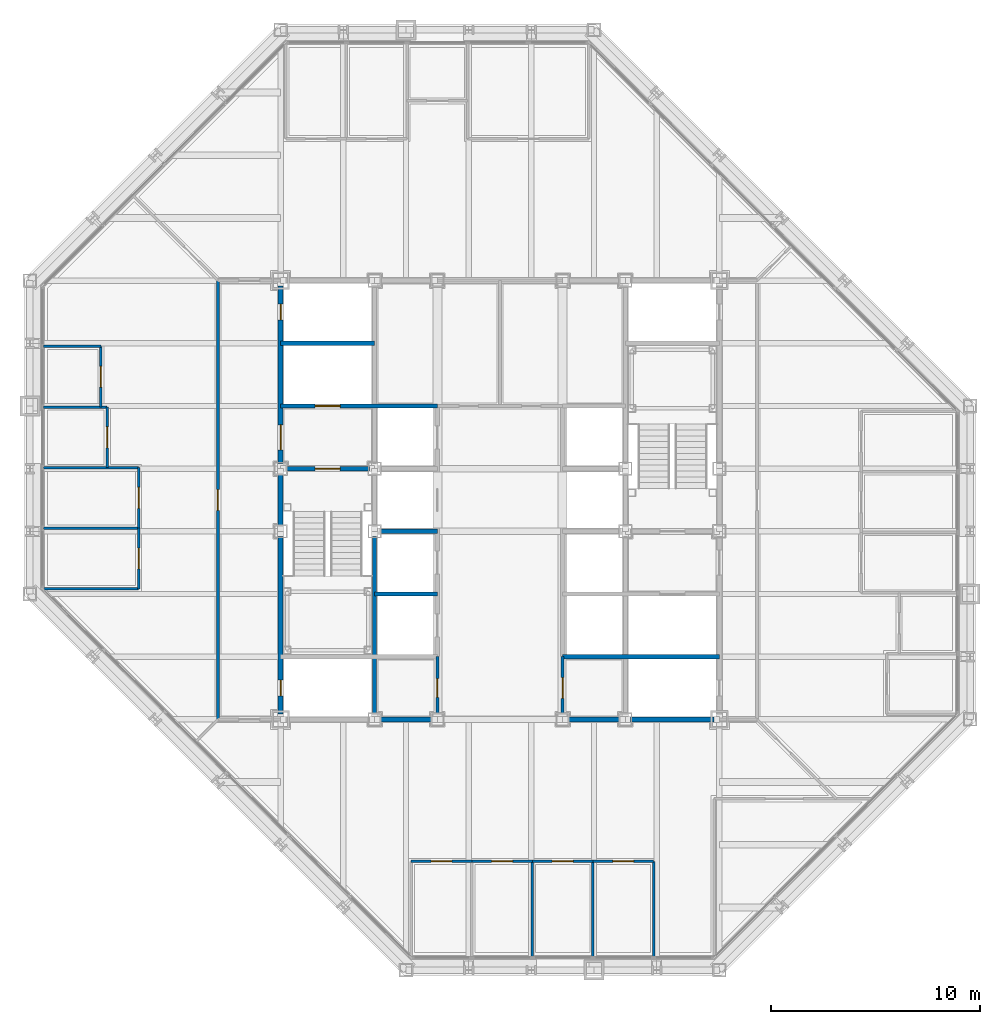
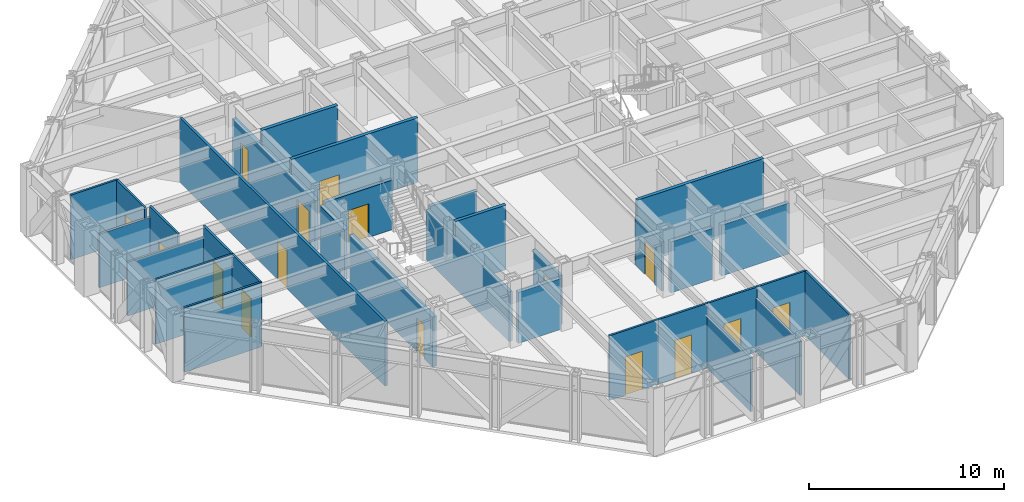
# One storey, part 10 of 15: 32 walls, 16 doors, 16 openings.
"""IFC4 building model written with IfcOpenShell, lengths in metres."""

from ifc_helpers import new_model, si_unit, direction, frame, frame_2d, origin, place, context, subcontext, project, spatial, rectangle, extrude, material, layer, layer_set, type_object, element, fill, save


model = new_model("IFC4")

# Units and contexts
model_context = context("Model", 3, precision=1e-05, world=origin(), true_north=direction((0.0, 1.0)))
body_context = subcontext(model_context, "Body", "Model", "MODEL_VIEW")
ifc_project = project(units=[si_unit("LENGTHUNIT", "METRE"), si_unit("AREAUNIT", "SQUARE_METRE"), si_unit("VOLUMEUNIT", "CUBIC_METRE"), si_unit("PLANEANGLEUNIT", "RADIAN"), si_unit("MASSUNIT", "GRAM", prefix="KILO")], contexts=[model_context])

# Site, building, storey
site_placement = place(None, origin())
site = spatial("IfcSite", under=ifc_project, at=site_placement, CompositionType="ELEMENT")
building_placement = place(site_placement, origin())
building = spatial("IfcBuilding", under=site, at=building_placement, Name="Chuquiago Exchange Tower", CompositionType="ELEMENT")
storey_placement = place(building_placement, frame((0.0, 0.0, 192.89990234375)))
storey = spatial("IfcBuildingStorey", under=building, at=storey_placement, Name="L42", CompositionType="ELEMENT", Elevation=192.89990234375)

# Wall, opening, door
ifc_material_1 = material(Name="Concrete masonry, fully grouted", Category="masonry")
ifc_layer_1 = layer(ifc_material_1, 0.25)
ifc_layer_set_1 = layer_set([ifc_layer_1], Name="W1 core wall 250")
wall_type_1 = type_object("IfcWallType", Name="W1 core wall 250", PredefinedType="SOLIDWALL", material=ifc_layer_set_1)
wall_1_placement = place(storey_placement, frame((12.0, 12.25, 0.0), z_axis=(0.0, 0.0, 1.0), x_axis=(0.0, 1.0, 0.0)))
wall_1 = element("IfcWall", 1, at=wall_1_placement, inside=storey, type_object=wall_type_1, Name="CW-L42-00-0", PredefinedType="SOLIDWALL", context=body_context, shape_type="SweptSolid", body=[
    extrude(rectangle(XDim=8.5, YDim=0.25, at=frame_2d((4.25, 0.0))), origin(), (0.0, 0.0, 1.0), 3.113037109375),
])
opening_1_placement = place(wall_1_placement, frame((0.875, 0.0, 0.0)))
opening_1 = element("IfcOpeningElement", 2, at=opening_1_placement, cuts=wall_1, Name="Opening L42-007", PredefinedType="OPENING", context=body_context, shape_type="SweptSolid", body=[
    extrude(rectangle(XDim=0.75, YDim=2.10009765625, at=frame_2d((0.375, 1.050048828125))), frame((0.0, 0.135009765625, 0.0), z_axis=(0.0, -1.0, 0.0), x_axis=(1.0, 0.0, 0.0)), (0.0, 0.0, 1.0), 0.27001953125),
])
ifc_material_2 = material(Name="Steel door, painted", Category="steel")
door_type_1 = type_object("IfcDoorType", Name="D6 riser access door 750x2100", OperationType="SINGLE_SWING_LEFT", PredefinedType="DOOR", material=ifc_material_2)
door_1_placement = place(opening_1_placement, origin())
door_1 = element("IfcDoor", 3, at=door_1_placement, inside=storey, type_object=door_type_1, Name="Riser RW1 door", OperationType="SINGLE_SWING_LEFT", OverallHeight=2.10009765625, OverallWidth=0.75, PredefinedType="DOOR", context=body_context, shape_type="SweptSolid", body=[
    extrude(rectangle(XDim=0.75, YDim=2.10009765625, at=frame_2d((0.375, 1.050048828125))), frame((0.0, 0.02490234375, 0.0), z_axis=(0.0, -1.0, 0.0), x_axis=(1.0, 0.0, 0.0)), (0.0, 0.0, 1.0), 0.050048828125),
])
fill(opening_1, door_1)

# Wall
wall_2_placement = place(storey_placement, frame((12.0, 21.25, 0.0), z_axis=(0.0, 0.0, 1.0), x_axis=(0.0, 1.0, 0.0)))
element("IfcWall", 4, at=wall_2_placement, inside=storey, type_object=wall_type_1, Name="CW-L42-00-1", PredefinedType="SOLIDWALL", context=body_context, shape_type="SweptSolid", body=[
    extrude(rectangle(XDim=2.5, YDim=0.25, at=frame_2d((1.25, 0.0))), origin(), (0.0, 0.0, 1.0), 3.113037109375),
])

# Wall, openings, doors
wall_3_placement = place(storey_placement, frame((12.0, 24.25, 0.0), z_axis=(0.0, 0.0, 1.0), x_axis=(0.0, 1.0, 0.0)))
wall_3 = element("IfcWall", 5, at=wall_3_placement, inside=storey, type_object=wall_type_1, Name="CW-L42-00-2", PredefinedType="SOLIDWALL", context=body_context, shape_type="SweptSolid", body=[
    extrude(rectangle(XDim=8.5, YDim=0.25, at=frame_2d((4.25, 0.0))), origin(), (0.0, 0.0, 1.0), 3.113037109375),
])
opening_2_placement = place(wall_3_placement, frame((0.64990234375, 0.0, 0.0)))
opening_2 = element("IfcOpeningElement", 6, at=opening_2_placement, cuts=wall_3, Name="Opening L42-002", PredefinedType="OPENING", context=body_context, shape_type="SweptSolid", body=[
    extrude(rectangle(XDim=1.199951171875, YDim=2.10009765625, at=frame_2d((0.60009765625, 1.050048828125))), frame((0.0, 0.135009765625, 0.0), z_axis=(0.0, -1.0, 0.0), x_axis=(1.0, 0.0, 0.0)), (0.0, 0.0, 1.0), 0.27001953125),
])
opening_3_placement = place(wall_3_placement, frame((6.875, 0.0, 0.0)))
opening_3 = element("IfcOpeningElement", 7, at=opening_3_placement, cuts=wall_3, Name="Opening L42-008", PredefinedType="OPENING", context=body_context, shape_type="SweptSolid", body=[
    extrude(rectangle(XDim=0.75, YDim=2.10009765625, at=frame_2d((0.375, 1.050048828125))), frame((0.0, 0.135009765625, 0.0), z_axis=(0.0, -1.0, 0.0), x_axis=(1.0, 0.0, 0.0)), (0.0, 0.0, 1.0), 0.27001953125),
])
ifc_material_3 = material(Name="Steel door, painted", Category="steel")
door_type_2 = type_object("IfcDoorType", Name="D5 firefighting lobby door 1200x2100", OperationType="SINGLE_SWING_LEFT", PredefinedType="DOOR", material=ifc_material_3)
door_2_placement = place(opening_2_placement, frame((1.199951171875, 0.0, 0.0), z_axis=(0.0, 0.0, 1.0), x_axis=(-1.0, 0.0, 0.0)))
door_2 = element("IfcDoor", 8, at=door_2_placement, inside=storey, type_object=door_type_2, Name="Firefighting lobby 1 door", OperationType="SINGLE_SWING_RIGHT", OverallHeight=2.10009765625, OverallWidth=1.199951171875, PredefinedType="DOOR", context=body_context, shape_type="SweptSolid", body=[
    extrude(rectangle(XDim=1.199951171875, YDim=2.10009765625, at=frame_2d((0.60009765625, 1.050048828125))), frame((0.0, 0.02490234375, 0.0), z_axis=(0.0, -1.0, 0.0), x_axis=(1.0, 0.0, 0.0)), (0.0, 0.0, 1.0), 0.050048828125),
])
fill(opening_2, door_2)
door_3_placement = place(opening_3_placement, origin())
door_3 = element("IfcDoor", 9, at=door_3_placement, inside=storey, type_object=door_type_1, Name="Riser RW2 door", OperationType="SINGLE_SWING_RIGHT", OverallHeight=2.10009765625, OverallWidth=0.75, PredefinedType="DOOR", context=body_context, shape_type="SweptSolid", body=[
    extrude(rectangle(XDim=0.75, YDim=2.10009765625, at=frame_2d((0.375, 1.050048828125))), frame((0.0, 0.02490234375, 0.0), z_axis=(0.0, -1.0, 0.0), x_axis=(1.0, 0.0, 0.0)), (0.0, 0.0, 1.0), 0.050048828125),
])
fill(opening_3, door_3)

# Walls
for number, where, z_axis, x_axis, name in (
    (10, (16.75, 12.0, 0.0), (0.0, 0.0, 1.0), (1.0, 0.0, 0.0), "CW-L42-01-1"),
    (11, (25.75, 12.0, 0.0), (0.0, 0.0, 1.0), (1.0, 0.0, 0.0), "CW-L42-02-0"),
):
    element("IfcWall", number, at=place(storey_placement, frame(where, z_axis=z_axis, x_axis=x_axis)), inside=storey, type_object=wall_type_1, Name=name, PredefinedType="SOLIDWALL", context=body_context, shape_type="SweptSolid", body=[
        extrude(rectangle(XDim=2.5, YDim=0.25, at=frame_2d((1.25, 0.0))), origin(), (0.0, 0.0, 1.0), 3.181640625),
    ])
wall_4_placement = place(storey_placement, frame((28.75, 12.0, 0.0), z_axis=(0.0, 0.0, 1.0), x_axis=(1.0, 0.0, 0.0)))
element("IfcWall", 12, at=wall_4_placement, inside=storey, type_object=wall_type_1, Name="CW-L42-02-1", PredefinedType="SOLIDWALL", context=body_context, shape_type="SweptSolid", body=[
    extrude(rectangle(XDim=4.0, YDim=0.25, at=frame_2d((2.0, 0.0))), origin(), (0.0, 0.0, 1.0), 3.181640625),
])

# Wall, opening, door
ifc_material_4 = material(Name="Gypsum board on steel studs, acoustic insulation", Category="steel")
ifc_layer_2 = layer(ifc_material_4, 0.14990234375)
ifc_layer_set_2 = layer_set([ifc_layer_2], Name="W11 corridor wall 150")
wall_type_2 = type_object("IfcWallType", Name="W11 corridor wall 150", PredefinedType="PARTITIONING", material=ifc_layer_set_2)
wall_5_placement = place(storey_placement, frame((9.0, 12.0, 0.0), z_axis=(0.0, 0.0, 1.0), x_axis=(0.0, 1.0, 0.0)))
wall_5 = element("IfcWall", 13, at=wall_5_placement, inside=storey, type_object=wall_type_2, Name="PW-L42-GW0", PredefinedType="PARTITIONING", context=body_context, shape_type="SweptSolid", body=[
    extrude(rectangle(XDim=21.0, YDim=0.14990234375, at=frame_2d((10.5, 0.0))), origin(), (0.0, 0.0, 1.0), 4.0400390625),
])
opening_4_placement = place(wall_5_placement, frame((10.0, 0.0, 0.0)))
opening_4 = element("IfcOpeningElement", 14, at=opening_4_placement, cuts=wall_5, Name="Opening L42-037", PredefinedType="OPENING", context=body_context, shape_type="SweptSolid", body=[
    extrude(rectangle(XDim=1.0, YDim=2.39990234375, at=frame_2d((0.5, 1.199951171875))), frame((0.0, 0.0849609375, 0.0), z_axis=(0.0, -1.0, 0.0), x_axis=(1.0, 0.0, 0.0)), (0.0, 0.0, 1.0), 0.169921875),
])
ifc_material_5 = material(Name="Timber door, laminate faced", Category="wood")
door_type_3 = type_object("IfcDoorType", Name="D9 room door 1000x2400", OperationType="SINGLE_SWING_LEFT", PredefinedType="DOOR", material=ifc_material_5)
door_4_placement = place(opening_4_placement, origin())
door_4 = element("IfcDoor", 15, at=door_4_placement, inside=storey, type_object=door_type_3, Name="Team area door", OperationType="SINGLE_SWING_LEFT", OverallHeight=2.39990234375, OverallWidth=1.0, PredefinedType="DOOR", context=body_context, shape_type="SweptSolid", body=[
    extrude(rectangle(XDim=1.0, YDim=2.39990234375, at=frame_2d((0.5, 1.199951171875))), frame((0.0, 0.02490234375, 0.0), z_axis=(0.0, -1.0, 0.0), x_axis=(1.0, 0.0, 0.0)), (0.0, 0.0, 1.0), 0.050048828125),
])
fill(opening_4, door_4)

# Wall
ifc_material_6 = material(Name="Concrete masonry, fully grouted", Category="masonry")
ifc_layer_3 = layer(ifc_material_6, 0.199951171875)
ifc_layer_set_3 = layer_set([ifc_layer_3], Name="W2 shaft wall 200")
wall_type_3 = type_object("IfcWallType", Name="W2 shaft wall 200", PredefinedType="SOLIDWALL", material=ifc_layer_set_3)
wall_6_placement = place(storey_placement, frame((25.5, 15.0, 0.0), z_axis=(0.0, 0.0, 1.0), x_axis=(1.0, 0.0, 0.0)))
element("IfcWall", 16, at=wall_6_placement, inside=storey, type_object=wall_type_3, Name="CW-L42-04-0", PredefinedType="SOLIDWALL", context=body_context, shape_type="SweptSolid", body=[
    extrude(rectangle(XDim=7.5, YDim=0.199951171875, at=frame_2d((3.75, 0.0))), origin(), (0.0, 0.0, 1.0), 4.0400390625),
])

# Wall, opening, door
wall_7_placement = place(storey_placement, frame((12.25, 24.0, 0.0), z_axis=(0.0, 0.0, 1.0), x_axis=(1.0, 0.0, 0.0)))
wall_7 = element("IfcWall", 17, at=wall_7_placement, inside=storey, type_object=wall_type_3, Name="CW-L42-05-0", PredefinedType="SOLIDWALL", context=body_context, shape_type="SweptSolid", body=[
    extrude(rectangle(XDim=4.0, YDim=0.199951171875, at=frame_2d((2.0, 0.0))), origin(), (0.0, 0.0, 1.0), 3.090087890625),
])
opening_5_placement = place(wall_7_placement, frame((1.39990234375, 0.0, 0.0)))
opening_5 = element("IfcOpeningElement", 18, at=opening_5_placement, cuts=wall_7, Name="Opening L42-001", PredefinedType="OPENING", context=body_context, shape_type="SweptSolid", body=[
    extrude(rectangle(XDim=1.199951171875, YDim=2.10009765625, at=frame_2d((0.60009765625, 1.050048828125))), frame((0.0, 0.10986328125, 0.0), z_axis=(0.0, -1.0, 0.0), x_axis=(1.0, 0.0, 0.0)), (0.0, 0.0, 1.0), 0.219970703125),
])
ifc_material_7 = material(Name="Steel door, painted", Category="steel")
door_type_4 = type_object("IfcDoorType", Name="D4 stair door 1200x2100", OperationType="SINGLE_SWING_LEFT", PredefinedType="DOOR", material=ifc_material_7)
door_5_placement = place(opening_5_placement, frame((1.199951171875, 0.0, 0.0), z_axis=(0.0, 0.0, 1.0), x_axis=(-1.0, 0.0, 0.0)))
door_5 = element("IfcDoor", 19, at=door_5_placement, inside=storey, type_object=door_type_4, Name="Stair ST1 door", OperationType="SINGLE_SWING_RIGHT", OverallHeight=2.10009765625, OverallWidth=1.199951171875, PredefinedType="DOOR", context=body_context, shape_type="SweptSolid", body=[
    extrude(rectangle(XDim=1.199951171875, YDim=2.10009765625, at=frame_2d((0.60009765625, 1.050048828125))), frame((0.0, 0.02490234375, 0.0), z_axis=(0.0, -1.0, 0.0), x_axis=(1.0, 0.0, 0.0)), (0.0, 0.0, 1.0), 0.050048828125),
])
fill(opening_5, door_5)

wall_8_placement = place(storey_placement, frame((12.0, 27.0, 0.0), z_axis=(0.0, 0.0, 1.0), x_axis=(1.0, 0.0, 0.0)))
wall_8 = element("IfcWall", 20, at=wall_8_placement, inside=storey, type_object=wall_type_3, Name="CW-L42-07-0", PredefinedType="SOLIDWALL", context=body_context, shape_type="SweptSolid", body=[
    extrude(rectangle(XDim=7.5, YDim=0.199951171875, at=frame_2d((3.75, 0.0))), origin(), (0.0, 0.0, 1.0), 4.0400390625),
])
opening_6_placement = place(wall_8_placement, frame((1.64990234375, 0.0, 0.0)))
opening_6 = element("IfcOpeningElement", 21, at=opening_6_placement, cuts=wall_8, Name="Opening L42-005", PredefinedType="OPENING", context=body_context, shape_type="SweptSolid", body=[
    extrude(rectangle(XDim=1.199951171875, YDim=2.10009765625, at=frame_2d((0.60009765625, 1.050048828125))), frame((0.0, 0.10986328125, 0.0), z_axis=(0.0, -1.0, 0.0), x_axis=(1.0, 0.0, 0.0)), (0.0, 0.0, 1.0), 0.219970703125),
])
ifc_material_8 = material(Name="Stainless steel lift landing door", Category="steel")
door_type_5 = type_object("IfcDoorType", Name="LD2 firefighting lift landing door 1200x2100", OperationType="DOUBLE_DOOR_SLIDING", PredefinedType="DOOR", material=ifc_material_8)
door_6_placement = place(opening_6_placement, origin())
door_6 = element("IfcDoor", 22, at=door_6_placement, inside=storey, type_object=door_type_5, Name="Firefighting lift FL1 landing door", OperationType="DOUBLE_DOOR_SLIDING", OverallHeight=2.10009765625, OverallWidth=1.199951171875, PredefinedType="DOOR", context=body_context, shape_type="SweptSolid", body=[
    extrude(rectangle(XDim=1.199951171875, YDim=2.10009765625, at=frame_2d((0.60009765625, 1.050048828125))), frame((0.0, 0.02490234375, 0.0), z_axis=(0.0, -1.0, 0.0), x_axis=(1.0, 0.0, 0.0)), (0.0, 0.0, 1.0), 0.050048828125),
])
fill(opening_6, door_6)

# Walls
wall_9_placement = place(storey_placement, frame((12.0, 30.0, 0.0), z_axis=(0.0, 0.0, 1.0), x_axis=(1.0, 0.0, 0.0)))
element("IfcWall", 23, at=wall_9_placement, inside=storey, type_object=wall_type_3, Name="CW-L42-09-0", PredefinedType="SOLIDWALL", context=body_context, shape_type="SweptSolid", body=[
    extrude(rectangle(XDim=4.5, YDim=0.199951171875, at=frame_2d((2.25, 0.0))), origin(), (0.0, 0.0, 1.0), 4.0400390625),
])
wall_10_placement = place(storey_placement, frame((16.5, 12.25, 0.0), z_axis=(0.0, 0.0, 1.0), x_axis=(0.0, 1.0, 0.0)))
element("IfcWall", 24, at=wall_10_placement, inside=storey, type_object=wall_type_3, Name="CW-L42-13-0", PredefinedType="SOLIDWALL", context=body_context, shape_type="SweptSolid", body=[
    extrude(rectangle(XDim=8.5, YDim=0.199951171875, at=frame_2d((4.25, 0.0))), origin(), (0.0, 0.0, 1.0), 3.113037109375),
])
wall_11_placement = place(storey_placement, frame((16.5, 18.0, 0.0), z_axis=(0.0, 0.0, 1.0), x_axis=(1.0, 0.0, 0.0)))
element("IfcWall", 25, at=wall_11_placement, inside=storey, type_object=wall_type_3, Name="CW-L42-14-0", PredefinedType="SOLIDWALL", context=body_context, shape_type="SweptSolid", body=[
    extrude(rectangle(XDim=3.0, YDim=0.199951171875, at=frame_2d((1.5, 0.0))), origin(), (0.0, 0.0, 1.0), 4.0400390625),
])
wall_12_placement = place(storey_placement, frame((16.75, 21.0, 0.0), z_axis=(0.0, 0.0, 1.0), x_axis=(1.0, 0.0, 0.0)))
element("IfcWall", 26, at=wall_12_placement, inside=storey, type_object=wall_type_3, Name="CW-L42-16-0", PredefinedType="SOLIDWALL", context=body_context, shape_type="SweptSolid", body=[
    extrude(rectangle(XDim=2.75, YDim=0.199951171875, at=frame_2d((1.375, 0.0))), origin(), (0.0, 0.0, 1.0), 3.090087890625),
])

# Wall, opening, door
ifc_material_9 = material(Name="Gypsum board on steel studs", Category="steel")
ifc_layer_4 = layer(ifc_material_9, 0.14990234375)
ifc_layer_set_4 = layer_set([ifc_layer_4], Name="W3 core partition 150")
wall_type_4 = type_object("IfcWallType", Name="W3 core partition 150", PredefinedType="PARTITIONING", material=ifc_layer_set_4)
wall_13_placement = place(storey_placement, frame((19.5, 12.25, 0.0), z_axis=(0.0, 0.0, 1.0), x_axis=(0.0, 1.0, 0.0)))
wall_13 = element("IfcWall", 27, at=wall_13_placement, inside=storey, type_object=wall_type_4, Name="CW-L42-18-0", PredefinedType="PARTITIONING", context=body_context, shape_type="SweptSolid", body=[
    extrude(rectangle(XDim=2.75, YDim=0.14990234375, at=frame_2d((1.375, 0.0))), origin(), (0.0, 0.0, 1.0), 3.064697265625),
])
opening_7_placement = place(wall_13_placement, frame((0.800048828125, 0.0, 0.0)))
opening_7 = element("IfcOpeningElement", 28, at=opening_7_placement, cuts=wall_13, Name="Opening L42-014", PredefinedType="OPENING", context=body_context, shape_type="SweptSolid", body=[
    extrude(rectangle(XDim=0.89990234375, YDim=2.10009765625, at=frame_2d((0.449951171875, 1.050048828125))), frame((0.0, 0.0849609375, 0.0), z_axis=(0.0, -1.0, 0.0), x_axis=(1.0, 0.0, 0.0)), (0.0, 0.0, 1.0), 0.169921875),
])
ifc_material_10 = material(Name="Timber door, laminate faced", Category="wood")
door_type_6 = type_object("IfcDoorType", Name="D7 toilet door 900x2100", OperationType="SINGLE_SWING_LEFT", PredefinedType="DOOR", material=ifc_material_10)
door_7_placement = place(opening_7_placement, frame((0.89990234375, 0.0, 0.0), z_axis=(0.0, 0.0, 1.0), x_axis=(-1.0, 0.0, 0.0)))
door_7 = element("IfcDoor", 29, at=door_7_placement, inside=storey, type_object=door_type_6, Name="Cleaner door", OperationType="SINGLE_SWING_RIGHT", OverallHeight=2.10009765625, OverallWidth=0.89990234375, PredefinedType="DOOR", context=body_context, shape_type="SweptSolid", body=[
    extrude(rectangle(XDim=0.89990234375, YDim=2.10009765625, at=frame_2d((0.449951171875, 1.050048828125))), frame((0.0, 0.02490234375, 0.0), z_axis=(0.0, -1.0, 0.0), x_axis=(1.0, 0.0, 0.0)), (0.0, 0.0, 1.0), 0.050048828125),
])
fill(opening_7, door_7)

wall_14_placement = place(storey_placement, frame((25.5, 12.25, 0.0), z_axis=(0.0, 0.0, 1.0), x_axis=(0.0, 1.0, 0.0)))
wall_14 = element("IfcWall", 30, at=wall_14_placement, inside=storey, type_object=wall_type_4, Name="CW-L42-21-0", PredefinedType="PARTITIONING", context=body_context, shape_type="SweptSolid", body=[
    extrude(rectangle(XDim=2.75, YDim=0.14990234375, at=frame_2d((1.375, 0.0))), origin(), (0.0, 0.0, 1.0), 3.064697265625),
])
opening_8_placement = place(wall_14_placement, frame((0.75, 0.0, 0.0)))
opening_8 = element("IfcOpeningElement", 31, at=opening_8_placement, cuts=wall_14, Name="Opening L42-013", PredefinedType="OPENING", context=body_context, shape_type="SweptSolid", body=[
    extrude(rectangle(XDim=1.0, YDim=2.10009765625, at=frame_2d((0.5, 1.050048828125))), frame((0.0, 0.0849609375, 0.0), z_axis=(0.0, -1.0, 0.0), x_axis=(1.0, 0.0, 0.0)), (0.0, 0.0, 1.0), 0.169921875),
])
ifc_material_11 = material(Name="Timber door, laminate faced", Category="wood")
door_type_7 = type_object("IfcDoorType", Name="D8 accessible toilet door 1000x2100", OperationType="SLIDING_TO_LEFT", PredefinedType="DOOR", material=ifc_material_11)
door_8_placement = place(opening_8_placement, origin())
door_8 = element("IfcDoor", 32, at=door_8_placement, inside=storey, type_object=door_type_7, Name="Accessible WC door", OperationType="SLIDING_TO_LEFT", OverallHeight=2.10009765625, OverallWidth=1.0, PredefinedType="DOOR", context=body_context, shape_type="SweptSolid", body=[
    extrude(rectangle(XDim=1.0, YDim=2.10009765625, at=frame_2d((0.5, 1.050048828125))), frame((0.0, 0.02490234375, 0.0), z_axis=(0.0, -1.0, 0.0), x_axis=(1.0, 0.0, 0.0)), (0.0, 0.0, 1.0), 0.050048828125),
])
fill(opening_8, door_8)

# Walls
ifc_material_12 = material(Name="Gypsum board on steel studs", Category="steel")
ifc_layer_5 = layer(ifc_material_12, 0.1201171875)
ifc_layer_set_5 = layer_set([ifc_layer_5], Name="W4 partition 120")
wall_type_5 = type_object("IfcWallType", Name="W4 partition 120", PredefinedType="PARTITIONING", material=ifc_layer_set_5)
for number, where, z_axis, x_axis, name in (
    (33, (24.0498046875, 0.652587890625, 0.0), (0.0, 0.0, 1.0), (0.0, 1.0, 0.0), "PW-L42-S02405"),
    (34, (26.9501953125, 0.652587890625, 0.0), (0.0, 0.0, 1.0), (0.0, 1.0, 0.0), "PW-L42-S02695"),
):
    element("IfcWall", number, at=place(storey_placement, frame(where, z_axis=z_axis, x_axis=x_axis)), inside=storey, type_object=wall_type_5, Name=name, PredefinedType="PARTITIONING", context=body_context, shape_type="SweptSolid", body=[
        extrude(rectangle(XDim=4.54736328125, YDim=0.1201171875, at=frame_2d((2.273681640625, 0.0))), origin(), (0.0, 0.0, 1.0), 3.35693359375),
    ])
wall_15_placement = place(storey_placement, frame((29.850830078125, 0.652587890625, 0.0), z_axis=(0.0, 0.0, 1.0), x_axis=(0.0, 1.0, 0.0)))
element("IfcWall", 35, at=wall_15_placement, inside=storey, type_object=wall_type_5, Name="PW-L42-S02985", PredefinedType="PARTITIONING", context=body_context, shape_type="SweptSolid", body=[
    extrude(rectangle(XDim=4.54736328125, YDim=0.1201171875, at=frame_2d((2.273681640625, 0.0))), origin(), (0.0, 0.0, 1.0), 4.0400390625),
])

# Wall, opening, door
wall_16_placement = place(storey_placement, frame((18.24853515625, 5.199951171875, 0.0), z_axis=(0.0, 0.0, 1.0), x_axis=(1.0, 0.0, 0.0)))
wall_16 = element("IfcWall", 36, at=wall_16_placement, inside=storey, type_object=wall_type_5, Name="PW-L42-SF01825", PredefinedType="PARTITIONING", context=body_context, shape_type="SweptSolid", body=[
    extrude(rectangle(XDim=2.900634765625, YDim=0.1201171875, at=frame_2d((1.4501953125, 0.0))), origin(), (0.0, 0.0, 1.0), 4.0400390625),
])
opening_9_placement = place(wall_16_placement, frame((0.9501953125, 0.0, 0.0)))
opening_9 = element("IfcOpeningElement", 37, at=opening_9_placement, cuts=wall_16, Name="Opening L42-019", PredefinedType="OPENING", context=body_context, shape_type="SweptSolid", body=[
    extrude(rectangle(XDim=1.0, YDim=2.39990234375, at=frame_2d((0.5, 1.199951171875))), frame((0.0, 0.070068359375, 0.0), z_axis=(0.0, -1.0, 0.0), x_axis=(1.0, 0.0, 0.0)), (0.0, 0.0, 1.0), 0.14013671875),
])
door_9_placement = place(opening_9_placement, frame((1.0, 0.0, 0.0), z_axis=(0.0, 0.0, 1.0), x_axis=(-1.0, 0.0, 0.0)))
door_9 = element("IfcDoor", 38, at=door_9_placement, inside=storey, type_object=door_type_3, Name="Office door", OperationType="SINGLE_SWING_RIGHT", OverallHeight=2.39990234375, OverallWidth=1.0, PredefinedType="DOOR", context=body_context, shape_type="SweptSolid", body=[
    extrude(rectangle(XDim=1.0, YDim=2.39990234375, at=frame_2d((0.5, 1.199951171875))), frame((0.0, 0.02490234375, 0.0), z_axis=(0.0, -1.0, 0.0), x_axis=(1.0, 0.0, 0.0)), (0.0, 0.0, 1.0), 0.050048828125),
])
fill(opening_9, door_9)

wall_17_placement = place(storey_placement, frame((21.149169921875, 5.199951171875, 0.0), z_axis=(0.0, 0.0, 1.0), x_axis=(1.0, 0.0, 0.0)))
wall_17 = element("IfcWall", 39, at=wall_17_placement, inside=storey, type_object=wall_type_5, Name="PW-L42-SF02115", PredefinedType="PARTITIONING", context=body_context, shape_type="SweptSolid", body=[
    extrude(rectangle(XDim=2.900634765625, YDim=0.1201171875, at=frame_2d((1.4501953125, 0.0))), origin(), (0.0, 0.0, 1.0), 4.0400390625),
])
opening_10_placement = place(wall_17_placement, frame((0.9501953125, 0.0, 0.0)))
opening_10 = element("IfcOpeningElement", 40, at=opening_10_placement, cuts=wall_17, Name="Opening L42-020", PredefinedType="OPENING", context=body_context, shape_type="SweptSolid", body=[
    extrude(rectangle(XDim=1.0, YDim=2.39990234375, at=frame_2d((0.5, 1.199951171875))), frame((0.0, 0.070068359375, 0.0), z_axis=(0.0, -1.0, 0.0), x_axis=(1.0, 0.0, 0.0)), (0.0, 0.0, 1.0), 0.14013671875),
])
door_10_placement = place(opening_10_placement, frame((1.0, 0.0, 0.0), z_axis=(0.0, 0.0, 1.0), x_axis=(-1.0, 0.0, 0.0)))
door_10 = element("IfcDoor", 41, at=door_10_placement, inside=storey, type_object=door_type_3, Name="Office door", OperationType="SINGLE_SWING_RIGHT", OverallHeight=2.39990234375, OverallWidth=1.0, PredefinedType="DOOR", context=body_context, shape_type="SweptSolid", body=[
    extrude(rectangle(XDim=1.0, YDim=2.39990234375, at=frame_2d((0.5, 1.199951171875))), frame((0.0, 0.02490234375, 0.0), z_axis=(0.0, -1.0, 0.0), x_axis=(1.0, 0.0, 0.0)), (0.0, 0.0, 1.0), 0.050048828125),
])
fill(opening_10, door_10)

wall_18_placement = place(storey_placement, frame((24.0498046875, 5.199951171875, 0.0), z_axis=(0.0, 0.0, 1.0), x_axis=(1.0, 0.0, 0.0)))
wall_18 = element("IfcWall", 42, at=wall_18_placement, inside=storey, type_object=wall_type_5, Name="PW-L42-SF02405", PredefinedType="PARTITIONING", context=body_context, shape_type="SweptSolid", body=[
    extrude(rectangle(XDim=2.900390625, YDim=0.1201171875, at=frame_2d((1.4501953125, 0.0))), origin(), (0.0, 0.0, 1.0), 4.0400390625),
])
opening_11_placement = place(wall_18_placement, frame((0.9501953125, 0.0, 0.0)))
opening_11 = element("IfcOpeningElement", 43, at=opening_11_placement, cuts=wall_18, Name="Opening L42-021", PredefinedType="OPENING", context=body_context, shape_type="SweptSolid", body=[
    extrude(rectangle(XDim=1.0, YDim=2.39990234375, at=frame_2d((0.5, 1.199951171875))), frame((0.0, 0.070068359375, 0.0), z_axis=(0.0, -1.0, 0.0), x_axis=(1.0, 0.0, 0.0)), (0.0, 0.0, 1.0), 0.14013671875),
])
door_11_placement = place(opening_11_placement, frame((1.0, 0.0, 0.0), z_axis=(0.0, 0.0, 1.0), x_axis=(-1.0, 0.0, 0.0)))
door_11 = element("IfcDoor", 44, at=door_11_placement, inside=storey, type_object=door_type_3, Name="Office door", OperationType="SINGLE_SWING_LEFT", OverallHeight=2.39990234375, OverallWidth=1.0, PredefinedType="DOOR", context=body_context, shape_type="SweptSolid", body=[
    extrude(rectangle(XDim=1.0, YDim=2.39990234375, at=frame_2d((0.5, 1.199951171875))), frame((0.0, 0.02490234375, 0.0), z_axis=(0.0, -1.0, 0.0), x_axis=(1.0, 0.0, 0.0)), (0.0, 0.0, 1.0), 0.050048828125),
])
fill(opening_11, door_11)

wall_19_placement = place(storey_placement, frame((26.9501953125, 5.199951171875, 0.0), z_axis=(0.0, 0.0, 1.0), x_axis=(1.0, 0.0, 0.0)))
wall_19 = element("IfcWall", 45, at=wall_19_placement, inside=storey, type_object=wall_type_5, Name="PW-L42-SF02695", PredefinedType="PARTITIONING", context=body_context, shape_type="SweptSolid", body=[
    extrude(rectangle(XDim=2.900634765625, YDim=0.1201171875, at=frame_2d((1.4501953125, 0.0))), origin(), (0.0, 0.0, 1.0), 4.0400390625),
])
opening_12_placement = place(wall_19_placement, frame((0.9501953125, 0.0, 0.0)))
opening_12 = element("IfcOpeningElement", 46, at=opening_12_placement, cuts=wall_19, Name="Opening L42-022", PredefinedType="OPENING", context=body_context, shape_type="SweptSolid", body=[
    extrude(rectangle(XDim=1.0, YDim=2.39990234375, at=frame_2d((0.5, 1.199951171875))), frame((0.0, 0.070068359375, 0.0), z_axis=(0.0, -1.0, 0.0), x_axis=(1.0, 0.0, 0.0)), (0.0, 0.0, 1.0), 0.14013671875),
])
door_12_placement = place(opening_12_placement, frame((1.0, 0.0, 0.0), z_axis=(0.0, 0.0, 1.0), x_axis=(-1.0, 0.0, 0.0)))
door_12 = element("IfcDoor", 47, at=door_12_placement, inside=storey, type_object=door_type_3, Name="Office door", OperationType="SINGLE_SWING_RIGHT", OverallHeight=2.39990234375, OverallWidth=1.0, PredefinedType="DOOR", context=body_context, shape_type="SweptSolid", body=[
    extrude(rectangle(XDim=1.0, YDim=2.39990234375, at=frame_2d((0.5, 1.199951171875))), frame((0.0, 0.02490234375, 0.0), z_axis=(0.0, -1.0, 0.0), x_axis=(1.0, 0.0, 0.0)), (0.0, 0.0, 1.0), 0.050048828125),
])
fill(opening_12, door_12)

# Walls
wall_20_placement = place(storey_placement, frame((0.666015625, 18.24853515625, 0.0), z_axis=(0.0, 0.0, 1.0), x_axis=(1.0, 0.0, 0.0)))
element("IfcWall", 48, at=wall_20_placement, inside=storey, type_object=wall_type_5, Name="PW-L42-W01825", PredefinedType="PARTITIONING", context=body_context, shape_type="SweptSolid", body=[
    extrude(rectangle(XDim=4.533935546875, YDim=0.1201171875, at=frame_2d((2.26708984375, 0.0))), origin(), (0.0, 0.0, 1.0), 4.0400390625),
])
wall_21_placement = place(storey_placement, frame((0.652587890625, 21.149169921875, 0.0), z_axis=(0.0, 0.0, 1.0), x_axis=(1.0, 0.0, 0.0)))
element("IfcWall", 49, at=wall_21_placement, inside=storey, type_object=wall_type_5, Name="PW-L42-W02115", PredefinedType="PARTITIONING", context=body_context, shape_type="SweptSolid", body=[
    extrude(rectangle(XDim=4.54736328125, YDim=0.1201171875, at=frame_2d((2.273681640625, 0.0))), origin(), (0.0, 0.0, 1.0), 4.0400390625),
])
wall_22_placement = place(storey_placement, frame((0.652587890625, 24.0498046875, 0.0), z_axis=(0.0, 0.0, 1.0), x_axis=(1.0, 0.0, 0.0)))
element("IfcWall", 50, at=wall_22_placement, inside=storey, type_object=wall_type_5, Name="PW-L42-W02405", PredefinedType="PARTITIONING", context=body_context, shape_type="SweptSolid", body=[
    extrude(rectangle(XDim=4.54736328125, YDim=0.1201171875, at=frame_2d((2.273681640625, 0.0))), origin(), (0.0, 0.0, 1.0), 3.35693359375),
])
wall_23_placement = place(storey_placement, frame((0.652587890625, 26.9501953125, 0.0), z_axis=(0.0, 0.0, 1.0), x_axis=(1.0, 0.0, 0.0)))
element("IfcWall", 51, at=wall_23_placement, inside=storey, type_object=wall_type_5, Name="PW-L42-W02695", PredefinedType="PARTITIONING", context=body_context, shape_type="SweptSolid", body=[
    extrude(rectangle(XDim=3.04736328125, YDim=0.1201171875, at=frame_2d((1.523681640625, 0.0))), origin(), (0.0, 0.0, 1.0), 3.35693359375),
])
wall_24_placement = place(storey_placement, frame((0.652587890625, 29.850830078125, 0.0), z_axis=(0.0, 0.0, 1.0), x_axis=(1.0, 0.0, 0.0)))
element("IfcWall", 52, at=wall_24_placement, inside=storey, type_object=wall_type_5, Name="PW-L42-W02985", PredefinedType="PARTITIONING", context=body_context, shape_type="SweptSolid", body=[
    extrude(rectangle(XDim=2.747314453125, YDim=0.1201171875, at=frame_2d((1.37353515625, 0.0))), origin(), (0.0, 0.0, 1.0), 4.0400390625),
])

# Wall, opening, door
wall_25_placement = place(storey_placement, frame((5.199951171875, 18.24853515625, 0.0), z_axis=(0.0, 0.0, 1.0), x_axis=(0.0, 1.0, 0.0)))
wall_25 = element("IfcWall", 53, at=wall_25_placement, inside=storey, type_object=wall_type_5, Name="PW-L42-WF01825", PredefinedType="PARTITIONING", context=body_context, shape_type="SweptSolid", body=[
    extrude(rectangle(XDim=2.900634765625, YDim=0.1201171875, at=frame_2d((1.4501953125, 0.0))), origin(), (0.0, 0.0, 1.0), 4.0400390625),
])
opening_13_placement = place(wall_25_placement, frame((0.9501953125, 0.0, 0.0)))
opening_13 = element("IfcOpeningElement", 54, at=opening_13_placement, cuts=wall_25, Name="Opening L42-033", PredefinedType="OPENING", context=body_context, shape_type="SweptSolid", body=[
    extrude(rectangle(XDim=1.0, YDim=2.39990234375, at=frame_2d((0.5, 1.199951171875))), frame((0.0, 0.070068359375, 0.0), z_axis=(0.0, -1.0, 0.0), x_axis=(1.0, 0.0, 0.0)), (0.0, 0.0, 1.0), 0.14013671875),
])
door_13_placement = place(opening_13_placement, origin())
door_13 = element("IfcDoor", 55, at=door_13_placement, inside=storey, type_object=door_type_3, Name="Office door", OperationType="SINGLE_SWING_LEFT", OverallHeight=2.39990234375, OverallWidth=1.0, PredefinedType="DOOR", context=body_context, shape_type="SweptSolid", body=[
    extrude(rectangle(XDim=1.0, YDim=2.39990234375, at=frame_2d((0.5, 1.199951171875))), frame((0.0, 0.02490234375, 0.0), z_axis=(0.0, -1.0, 0.0), x_axis=(1.0, 0.0, 0.0)), (0.0, 0.0, 1.0), 0.050048828125),
])
fill(opening_13, door_13)

wall_26_placement = place(storey_placement, frame((5.199951171875, 21.149169921875, 0.0), z_axis=(0.0, 0.0, 1.0), x_axis=(0.0, 1.0, 0.0)))
wall_26 = element("IfcWall", 56, at=wall_26_placement, inside=storey, type_object=wall_type_5, Name="PW-L42-WF02115", PredefinedType="PARTITIONING", context=body_context, shape_type="SweptSolid", body=[
    extrude(rectangle(XDim=2.900634765625, YDim=0.1201171875, at=frame_2d((1.4501953125, 0.0))), origin(), (0.0, 0.0, 1.0), 4.0400390625),
])
opening_14_placement = place(wall_26_placement, frame((0.9501953125, 0.0, 0.0)))
opening_14 = element("IfcOpeningElement", 57, at=opening_14_placement, cuts=wall_26, Name="Opening L42-034", PredefinedType="OPENING", context=body_context, shape_type="SweptSolid", body=[
    extrude(rectangle(XDim=1.0, YDim=2.39990234375, at=frame_2d((0.5, 1.199951171875))), frame((0.0, 0.070068359375, 0.0), z_axis=(0.0, -1.0, 0.0), x_axis=(1.0, 0.0, 0.0)), (0.0, 0.0, 1.0), 0.14013671875),
])
door_14_placement = place(opening_14_placement, origin())
door_14 = element("IfcDoor", 58, at=door_14_placement, inside=storey, type_object=door_type_3, Name="Office door", OperationType="SINGLE_SWING_LEFT", OverallHeight=2.39990234375, OverallWidth=1.0, PredefinedType="DOOR", context=body_context, shape_type="SweptSolid", body=[
    extrude(rectangle(XDim=1.0, YDim=2.39990234375, at=frame_2d((0.5, 1.199951171875))), frame((0.0, 0.02490234375, 0.0), z_axis=(0.0, -1.0, 0.0), x_axis=(1.0, 0.0, 0.0)), (0.0, 0.0, 1.0), 0.050048828125),
])
fill(opening_14, door_14)

wall_27_placement = place(storey_placement, frame((3.699951171875, 24.0498046875, 0.0), z_axis=(0.0, 0.0, 1.0), x_axis=(0.0, 1.0, 0.0)))
wall_27 = element("IfcWall", 59, at=wall_27_placement, inside=storey, type_object=wall_type_5, Name="PW-L42-WF02405", PredefinedType="PARTITIONING", context=body_context, shape_type="SweptSolid", body=[
    extrude(rectangle(XDim=2.900390625, YDim=0.1201171875, at=frame_2d((1.4501953125, 0.0))), origin(), (0.0, 0.0, 1.0), 4.0400390625),
])
opening_15_placement = place(wall_27_placement, frame((0.9501953125, 0.0, 0.0)))
opening_15 = element("IfcOpeningElement", 60, at=opening_15_placement, cuts=wall_27, Name="Opening L42-035", PredefinedType="OPENING", context=body_context, shape_type="SweptSolid", body=[
    extrude(rectangle(XDim=1.0, YDim=2.39990234375, at=frame_2d((0.5, 1.199951171875))), frame((0.0, 0.070068359375, 0.0), z_axis=(0.0, -1.0, 0.0), x_axis=(1.0, 0.0, 0.0)), (0.0, 0.0, 1.0), 0.14013671875),
])
door_15_placement = place(opening_15_placement, origin())
door_15 = element("IfcDoor", 61, at=door_15_placement, inside=storey, type_object=door_type_3, Name="Store door", OperationType="SINGLE_SWING_RIGHT", OverallHeight=2.39990234375, OverallWidth=1.0, PredefinedType="DOOR", context=body_context, shape_type="SweptSolid", body=[
    extrude(rectangle(XDim=1.0, YDim=2.39990234375, at=frame_2d((0.5, 1.199951171875))), frame((0.0, 0.02490234375, 0.0), z_axis=(0.0, -1.0, 0.0), x_axis=(1.0, 0.0, 0.0)), (0.0, 0.0, 1.0), 0.050048828125),
])
fill(opening_15, door_15)

wall_28_placement = place(storey_placement, frame((3.39990234375, 26.9501953125, 0.0), z_axis=(0.0, 0.0, 1.0), x_axis=(0.0, 1.0, 0.0)))
wall_28 = element("IfcWall", 62, at=wall_28_placement, inside=storey, type_object=wall_type_5, Name="PW-L42-WF02695", PredefinedType="PARTITIONING", context=body_context, shape_type="SweptSolid", body=[
    extrude(rectangle(XDim=2.900634765625, YDim=0.1201171875, at=frame_2d((1.4501953125, 0.0))), origin(), (0.0, 0.0, 1.0), 4.0400390625),
])
opening_16_placement = place(wall_28_placement, frame((0.9501953125, 0.0, 0.0)))
opening_16 = element("IfcOpeningElement", 63, at=opening_16_placement, cuts=wall_28, Name="Opening L42-036", PredefinedType="OPENING", context=body_context, shape_type="SweptSolid", body=[
    extrude(rectangle(XDim=1.0, YDim=2.39990234375, at=frame_2d((0.5, 1.199951171875))), frame((0.0, 0.070068359375, 0.0), z_axis=(0.0, -1.0, 0.0), x_axis=(1.0, 0.0, 0.0)), (0.0, 0.0, 1.0), 0.14013671875),
])
ifc_material_13 = material(Name="Timber frame door, full height glazed panel", Category="wood")
door_type_8 = type_object("IfcDoorType", Name="D14 glazed meeting room door 1000x2400", OperationType="SINGLE_SWING_LEFT", PredefinedType="DOOR", material=ifc_material_13)
door_16_placement = place(opening_16_placement, origin())
door_16 = element("IfcDoor", 64, at=door_16_placement, inside=storey, type_object=door_type_8, Name="Focus room door", OperationType="SINGLE_SWING_LEFT", OverallHeight=2.39990234375, OverallWidth=1.0, PredefinedType="DOOR", context=body_context, shape_type="SweptSolid", body=[
    extrude(rectangle(XDim=1.0, YDim=2.39990234375, at=frame_2d((0.5, 1.199951171875))), frame((0.0, 0.02490234375, 0.0), z_axis=(0.0, -1.0, 0.0), x_axis=(1.0, 0.0, 0.0)), (0.0, 0.0, 1.0), 0.050048828125),
])
fill(opening_16, door_16)

save(model, "model.ifc")
